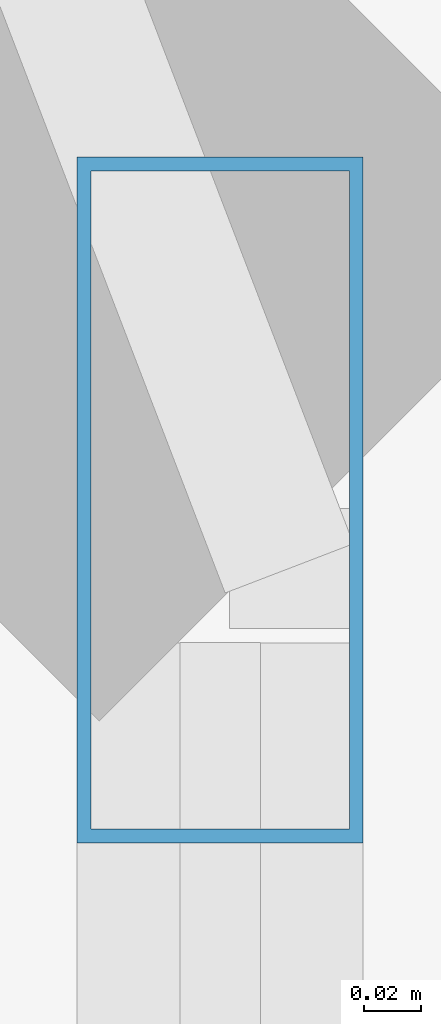
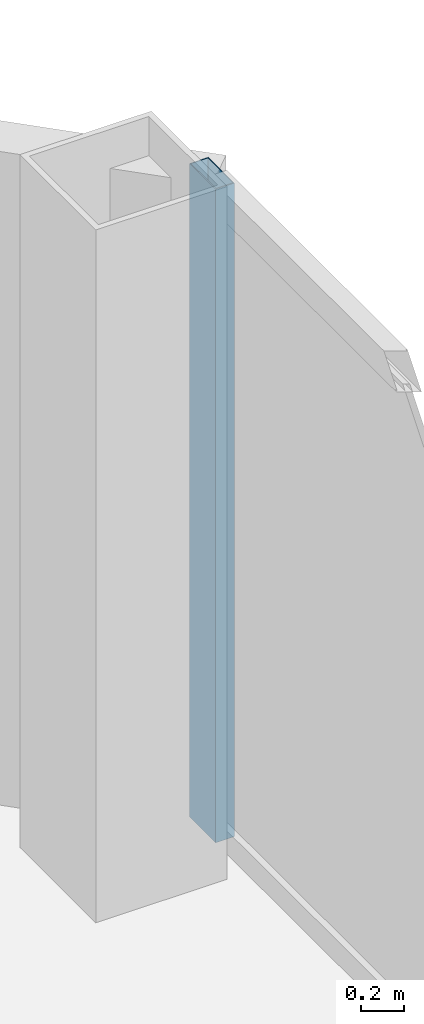
# One storey, part 16 of 27: 1 member, 1 element without a shape of its own.
"""IFC4 building model written with IfcOpenShell, lengths in metres."""

from ifc_helpers import new_model, si_unit, direction, frame, origin, origin_2d, place, context, subcontext, project, spatial, hollow_rectangle, extrude, material, layer, layer_set, material_profile, profile_set, type_object, element, aggregate, save


model = new_model("IFC4")

# Units and contexts
model_context = context("Model", 3, precision=1e-05, world=origin(), true_north=direction((0.0, 1.0)))
body_context = subcontext(model_context, "Body", "Model", "MODEL_VIEW")
ifc_project = project(units=[si_unit("LENGTHUNIT", "METRE"), si_unit("AREAUNIT", "SQUARE_METRE"), si_unit("VOLUMEUNIT", "CUBIC_METRE"), si_unit("PLANEANGLEUNIT", "RADIAN"), si_unit("MASSUNIT", "GRAM", prefix="KILO")], contexts=[model_context])

# Site, building, storey
site_placement = place(None, origin())
site = spatial("IfcSite", under=ifc_project, at=site_placement, CompositionType="ELEMENT")
building_placement = place(site_placement, origin())
building = spatial("IfcBuilding", under=site, at=building_placement, Name="Khorvyn Point Tower", CompositionType="ELEMENT")
storey_placement = place(building_placement, frame((0.0, 0.0, 179.699951171875)))
storey = spatial("IfcBuildingStorey", under=building, at=storey_placement, Name="L44", CompositionType="ELEMENT", Elevation=179.699951171875)

# Curtain wall, member
ifc_material_1 = material(Name="Anodised aluminium 6063-T6 and laminated Low-E glass", Category="aluminium")
ifc_layer = layer(ifc_material_1, 0.18994140625)
ifc_layer_set = layer_set([ifc_layer], Name="Stick-Built Acoustic Curtain Wall CW-SYS-03")
curtain_wall_type = type_object("IfcCurtainWallType", Name="Stick-Built Acoustic Curtain Wall CW-SYS-03", PredefinedType="NOTDEFINED", material=ifc_layer_set)
curtain_wall_placement = place(storey_placement, origin())
curtain_wall = element("IfcCurtainWall", 1, at=curtain_wall_placement, inside=storey, type_object=curtain_wall_type, Name="Curtain Wall", PredefinedType="NOTDEFINED")
ifc_material_2 = material(Name="Anodised aluminium 6063-T6", Category="aluminium")
ifc_material_profile = material_profile(ifc_material_2, hollow_rectangle(XDim=0.10009765625, YDim=0.239990234375, WallThickness=0.0048828125, at=origin_2d()))
ifc_profile_set = profile_set([ifc_material_profile], Name="Anodised aluminium 6063-T6 ALU-MUL-100x240")
member_type = type_object("IfcMemberType", Name="Anodised Aluminium 6063-T6 Mullion ALU-MUL-100x240", PredefinedType="MULLION", material=ifc_profile_set)
member_placement = place(storey_placement, frame((21.75, 19.199951171875, 0.0), z_axis=(0.0, 0.0, 1.0), x_axis=(1.0, 0.0, 0.0)))
member = element("IfcMember", 2, at=member_placement, type_object=member_type, Name="Transom", PredefinedType="MULLION", context=body_context, shape_type="SweptSolid", body=[
    extrude(hollow_rectangle(XDim=0.10009765625, YDim=0.239990234375, WallThickness=0.0048828125, at=origin_2d()), origin(), (0.0, 0.0, 1.0), 3.679931640625),
])
aggregate(curtain_wall, [member])

save(model, "model.ifc")
